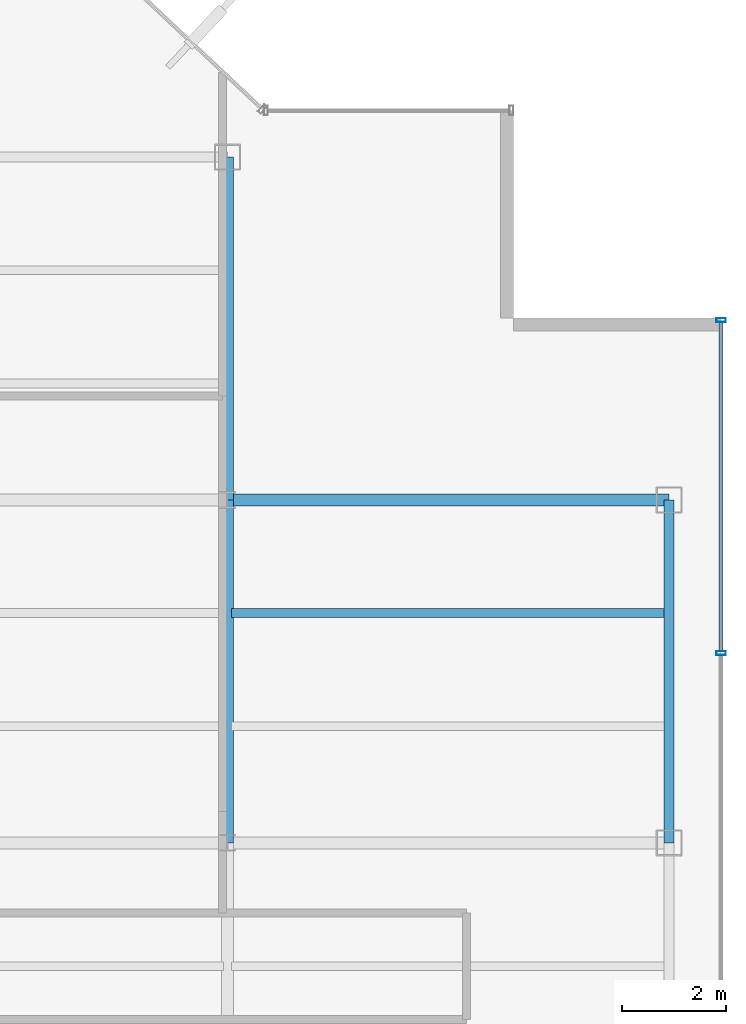
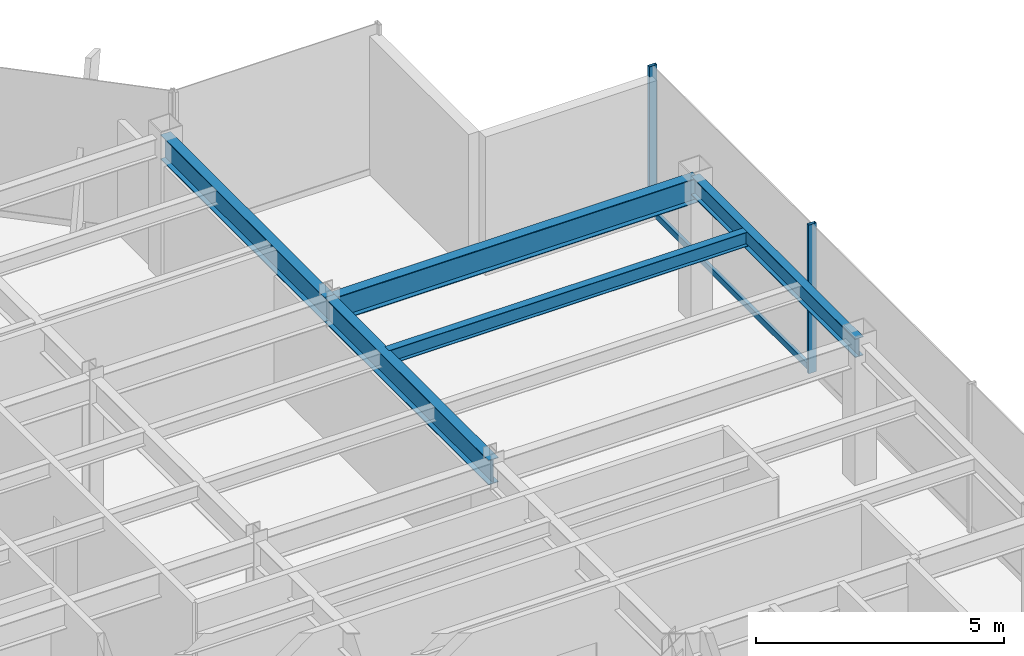
# One storey, part 11 of 22: 5 beams, 3 members, 1 element without a shape of its own.
"""IFC4 building model written with IfcOpenShell, lengths in metres."""

from ifc_helpers import new_model, si_unit, derived_unit, direction, frame, origin, origin_2d, place, context, subcontext, project, spatial, hollow_rectangle, i_section, extrude, source, transform, mapped, material, material_profile, profile_set, type_object, element, aggregate, save


model = new_model("IFC4")

# Units and contexts
model_context = context("Model", 3, precision=1e-05, world=origin(), true_north=direction((0.0, 1.0)))
body_context = subcontext(model_context, "Body", "Model", "MODEL_VIEW")
ifc_project = project(units=[si_unit("LENGTHUNIT", "METRE"), si_unit("AREAUNIT", "SQUARE_METRE"), si_unit("VOLUMEUNIT", "CUBIC_METRE"), si_unit("PLANEANGLEUNIT", "RADIAN"), si_unit("MASSUNIT", "GRAM", prefix="KILO"), derived_unit("THERMALTRANSMITTANCEUNIT", [(si_unit("POWERUNIT", "WATT"), 1), (si_unit("LENGTHUNIT", "METRE"), -2), (si_unit("THERMODYNAMICTEMPERATUREUNIT", "KELVIN"), -1)])], contexts=[model_context])

# Site, building, storey
site_placement = place(None, origin())
site = spatial("IfcSite", under=ifc_project, at=site_placement, CompositionType="ELEMENT")
building_placement = place(site_placement, origin())
building = spatial("IfcBuilding", under=site, at=building_placement, Name="Skarnbrae Concourse Arena and Tower", CompositionType="ELEMENT")
storey_placement = place(building_placement, frame((0.0, 0.0, 217.800048828125)))
storey = spatial("IfcBuildingStorey", under=building, at=storey_placement, Name="L56", CompositionType="ELEMENT", Elevation=217.800048828125)

# Beams
ifc_material_1 = material(Name="Steel CSA G40.21 350W", Category="steel")
ifc_material_profile_1 = material_profile(ifc_material_1, i_section(OverallWidth=0.22802734375, OverallDepth=0.60791015625, WebThickness=0.01123046875, FlangeThickness=0.017333984375, at=origin_2d()), Name="W610X113")
ifc_profile_set_1 = profile_set([ifc_material_profile_1], Name="Steel CSA G40.21 350W")
beam_type_1 = type_object("IfcBeamType", Name="BM-GIRD-W610X113", PredefinedType="BEAM", material=ifc_profile_set_1)
shared_shape_1 = source(origin(), body_context, "Body", "SweptSolid", [
    extrude(i_section(OverallWidth=0.22802734375, OverallDepth=0.60791015625, WebThickness=0.01123046875, FlangeThickness=0.017333984375, at=origin_2d()), origin(), (0.0, 0.0, 1.0), 6.60009765625),
])
beam_1_placement = place(storey_placement, frame((33.5, 21.199951171875, 3.095947265625), z_axis=(0.0, 1.0, 0.0), x_axis=(-1.0, 0.0, 0.0)))
element("IfcBeam", 1, at=beam_1_placement, inside=storey, type_object=beam_type_1, Name="L56 Primary N-S girder X33.5-2", PredefinedType="BEAM", context=body_context, shape_type="MappedRepresentation", body=[
    mapped(shared_shape_1, transform((0.0, 0.0, 0.0))),
])
shared_shape_2 = source(origin(), body_context, "Body", "SweptSolid", [
    extrude(i_section(OverallWidth=0.22802734375, OverallDepth=0.60791015625, WebThickness=0.01123046875, FlangeThickness=0.017333984375, at=origin_2d()), origin(), (0.0, 0.0, 1.0), 8.5),
])
beam_2_placement = place(storey_placement, frame((33.5, 27.800048828125, 3.095947265625), z_axis=(1.0, 0.0, 0.0), x_axis=(0.0, 1.0, 0.0)))
element("IfcBeam", 2, at=beam_2_placement, inside=storey, type_object=beam_type_1, Name="L56 Primary E-W girder Y27.8-6", PredefinedType="BEAM", context=body_context, shape_type="MappedRepresentation", body=[
    mapped(shared_shape_2, transform((0.0, 0.0, 0.0))),
])
ifc_material_profile_2 = material_profile(ifc_material_1, i_section(OverallWidth=0.19091796875, OverallDepth=0.4599609375, WebThickness=0.010009765625, FlangeThickness=0.01611328125, at=origin_2d()), Name="W460X82")
ifc_profile_set_2 = profile_set([ifc_material_profile_2], Name="Steel CSA G40.21 350W")
beam_type_2 = type_object("IfcBeamType", Name="BM-SPAN-W460X82", PredefinedType="SPANDREL", material=ifc_profile_set_2)
shared_shape_3 = source(origin(), body_context, "Body", "SweptSolid", [
    extrude(i_section(OverallWidth=0.19091796875, OverallDepth=0.4599609375, WebThickness=0.010009765625, FlangeThickness=0.01611328125, at=origin_2d()), origin(), (0.0, 0.0, 1.0), 6.60009765625),
])
beam_3_placement = place(storey_placement, frame((42.0, 21.199951171875, 3.169921875), z_axis=(0.0, 1.0, 0.0), x_axis=(-1.0, 0.0, 0.0)))
element("IfcBeam", 3, at=beam_3_placement, inside=storey, type_object=beam_type_2, Name="L56 Perimeter spandrel X42.0-3", PredefinedType="SPANDREL", context=body_context, shape_type="MappedRepresentation", body=[
    mapped(shared_shape_3, transform((0.0, 0.0, 0.0))),
])
shared_shape_4 = source(origin(), body_context, "Body", "SweptSolid", [
    extrude(i_section(OverallWidth=0.22802734375, OverallDepth=0.60791015625, WebThickness=0.01123046875, FlangeThickness=0.017333984375, at=origin_2d()), origin(), (0.0, 0.0, 1.0), 6.599853515625),
])
beam_4_placement = place(storey_placement, frame((33.5, 27.800048828125, 3.095947265625), z_axis=(0.0, 1.0, 0.0), x_axis=(-1.0, 0.0, 0.0)))
element("IfcBeam", 4, at=beam_4_placement, inside=storey, type_object=beam_type_1, Name="L56 Primary N-S girder X33.5-3", PredefinedType="BEAM", context=body_context, shape_type="MappedRepresentation", body=[
    mapped(shared_shape_4, transform((0.0, 0.0, 0.0))),
])
ifc_material_profile_3 = material_profile(ifc_material_1, i_section(OverallWidth=0.1708984375, OverallDepth=0.35498046875, WebThickness=0.007080078125, FlangeThickness=0.01171875, at=origin_2d()), Name="W360X51")
ifc_profile_set_3 = profile_set([ifc_material_profile_3], Name="Steel CSA G40.21 350W")
beam_type_3 = type_object("IfcBeamType", Name="BM-JOIST-W360X51", PredefinedType="JOIST", material=ifc_profile_set_3)
shared_shape_5 = source(origin(), body_context, "Body", "SweptSolid", [
    extrude(i_section(OverallWidth=0.1708984375, OverallDepth=0.35498046875, WebThickness=0.007080078125, FlangeThickness=0.01171875, at=origin_2d()), origin(), (0.0, 0.0, 1.0), 8.33984375),
])
beam_5_placement = place(storey_placement, frame((33.580078125, 25.6220703125, 3.222412109375), z_axis=(1.0, 0.0, 0.0), x_axis=(0.0, 1.0, 0.0)))
element("IfcBeam", 5, at=beam_5_placement, inside=storey, type_object=beam_type_3, Name="L56 Secondary floor joist 2.2.6", PredefinedType="JOIST", context=body_context, shape_type="MappedRepresentation", body=[
    mapped(shared_shape_5, transform((0.0, 0.0, 0.0))),
])

# Curtain wall, members
ifc_material_2 = material(Name="Bronze anodised aluminium 6063-T6", Category="aluminium")
curtain_wall_type = type_object("IfcCurtainWallType", Name="CW-SYS-05-HIGHZONE", PredefinedType="USERDEFINED", material=ifc_material_2)
curtain_wall_placement = place(storey_placement, origin())
curtain_wall = element("IfcCurtainWall", 6, at=curtain_wall_placement, inside=storey, type_object=curtain_wall_type, Name="L56 Unitised curtain wall CW-L56-E04", ObjectType="UNITISED CURTAIN WALL", PredefinedType="USERDEFINED")
ifc_material_profile_4 = material_profile(ifc_material_2, hollow_rectangle(XDim=0.074951171875, YDim=0.179931640625, WallThickness=0.00390625, at=origin_2d()), Name="ALU-MULL-75X180")
ifc_profile_set_4 = profile_set([ifc_material_profile_4], Name="Bronze anodised aluminium 6063-T6")
member_type_1 = type_object("IfcMemberType", Name="CWM-CW-05", PredefinedType="MULLION", material=ifc_profile_set_4)
shared_shape_6 = source(origin(), body_context, "Body", "SweptSolid", [
    extrude(hollow_rectangle(XDim=0.074951171875, YDim=0.179931640625, WallThickness=0.00390625, at=origin_2d()), origin(), (0.0, 0.0, 1.0), 3.64990234375),
])
member_1_placement = place(storey_placement, frame((43.0, 24.85009765625, 0.0), z_axis=(0.0, 0.0, 1.0), x_axis=(0.0, 1.0, 0.0)))
member_1 = element("IfcMember", 7, at=member_1_placement, type_object=member_type_1, Name="CW-L56-E04 Mullion 4", PredefinedType="MULLION", context=body_context, shape_type="MappedRepresentation", body=[
    mapped(shared_shape_6, transform((0.0, 0.0, 0.0))),
])
member_2_placement = place(storey_placement, frame((43.0, 31.262451171875, 0.0), z_axis=(0.0, 0.0, 1.0), x_axis=(0.0, 1.0, 0.0)))
member_2 = element("IfcMember", 8, at=member_2_placement, type_object=member_type_1, Name="CW-L56-E04 Mullion 5", PredefinedType="MULLION", context=body_context, shape_type="MappedRepresentation", body=[
    mapped(shared_shape_6, transform((0.0, 0.0, 0.0))),
])
ifc_material_profile_5 = material_profile(ifc_material_2, hollow_rectangle(XDim=0.074951171875, YDim=0.14990234375, WallThickness=0.00390625, at=origin_2d()), Name="ALU-TRAN-75X150")
ifc_profile_set_5 = profile_set([ifc_material_profile_5], Name="Bronze anodised aluminium 6063-T6")
member_type_2 = type_object("IfcMemberType", Name="CWT-CW-05", PredefinedType="USERDEFINED", material=ifc_profile_set_5)
shared_shape_7 = source(origin(), body_context, "Body", "SweptSolid", [
    extrude(hollow_rectangle(XDim=0.074951171875, YDim=0.14990234375, WallThickness=0.00390625, at=origin_2d()), origin(), (0.0, 0.0, 1.0), 6.337646484375),
])
member_3_placement = place(storey_placement, frame((43.0, 24.887451171875, 0.074951171875), z_axis=(0.0, 1.0, 0.0), x_axis=(-1.0, 0.0, 0.0)))
member_3 = element("IfcMember", 9, at=member_3_placement, type_object=member_type_2, Name="CW-L56-E04 Transom 4", ObjectType="TRANSOM", PredefinedType="USERDEFINED", context=body_context, shape_type="MappedRepresentation", body=[
    mapped(shared_shape_7, transform((0.0, 0.0, 0.0))),
])
aggregate(curtain_wall, [member_1, member_2, member_3])

save(model, "model.ifc")
